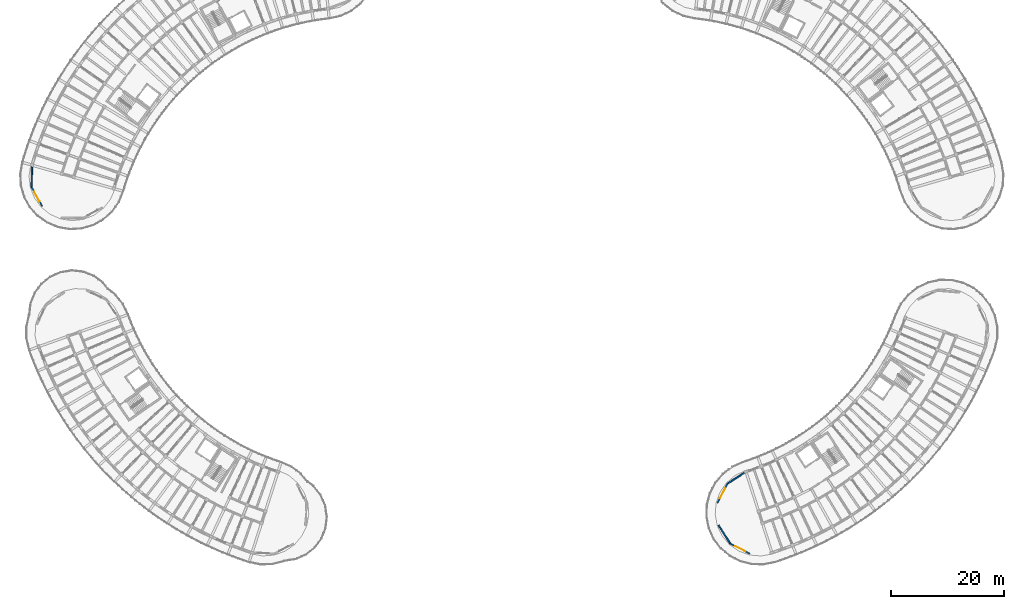
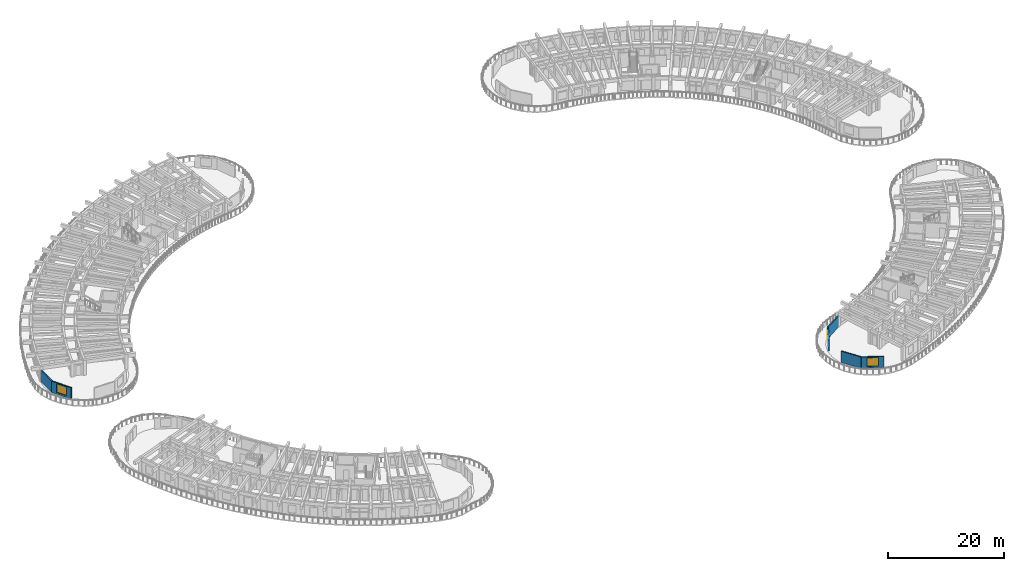
# One storey, part 41 of 78: 6 walls, 3 windows, 3 openings.
"""IFC4 building model written with IfcOpenShell, lengths in metres."""

from ifc_helpers import new_model, si_unit, direction, frame, frame_2d, origin, place, context, subcontext, project, spatial, rectangle, extrude, material, layer, layer_set, type_object, element, fill, save


model = new_model("IFC4")

# Units and contexts
model_context = context("Model", 3, precision=1e-05, world=origin(), true_north=direction((0.0, 1.0)))
body_context = subcontext(model_context, "Body", "Model", "MODEL_VIEW")
ifc_project = project(units=[si_unit("LENGTHUNIT", "METRE"), si_unit("AREAUNIT", "SQUARE_METRE"), si_unit("VOLUMEUNIT", "CUBIC_METRE"), si_unit("PLANEANGLEUNIT", "RADIAN"), si_unit("MASSUNIT", "GRAM", prefix="KILO")], contexts=[model_context])

# Site, building, storey
site_placement = place(None, origin())
site = spatial("IfcSite", under=ifc_project, at=site_placement, CompositionType="ELEMENT")
building_placement = place(site_placement, origin())
building = spatial("IfcBuilding", under=site, at=building_placement, Name="Tanwirah Colonnade Gardens", CompositionType="ELEMENT")
storey_placement = place(building_placement, frame((0.0, 0.0, 22.280029296875)))
storey = spatial("IfcBuildingStorey", under=building, at=storey_placement, Name="L06", CompositionType="ELEMENT", Elevation=22.280029296875)

# Wall, opening, window
ifc_material_1 = material(Name="Limestone architectural precast concrete C40/50", Category="masonry")
ifc_layer_1 = layer(ifc_material_1, 0.239990234375)
ifc_layer_set_1 = layer_set([ifc_layer_1], Name="Limestone architectural precast concrete C40/50")
wall_type_1 = type_object("IfcWallType", Name="EW-PC240", PredefinedType="SOLIDWALL", material=ifc_layer_set_1)
wall_1_placement = place(storey_placement, frame((135.2509765625, 7.597412109375, 0.0), z_axis=(0.0, 0.0, 1.0), x_axis=(-0.889028498589, 0.457851863267, 0.0)))
wall_1 = element("IfcWall", 1, at=wall_1_placement, inside=storey, type_object=wall_type_1, Name="Block D L06 START Rounded End Wall 1", PredefinedType="SOLIDWALL", context=body_context, shape_type="SweptSolid", body=[
    extrude(rectangle(XDim=3.907958984375, YDim=0.239990234375, at=frame_2d((1.9541015625, 0.0))), origin(), (0.0, 0.0, 1.0), 2.35498046875),
])
opening_1_placement = place(wall_1_placement, frame((0.97900390625, 0.0, 0.39990234375)))
opening_1 = element("IfcOpeningElement", 2, at=opening_1_placement, cuts=wall_1, Name="Opening WIN-END2", PredefinedType="OPENING", context=body_context, shape_type="SweptSolid", body=[
    extrude(rectangle(XDim=1.949951171875, YDim=1.780029296875, at=frame_2d((0.97509765625, 0.89013671875))), frame((0.0, 0.1298828125, 0.0), z_axis=(0.0, -1.0, 0.0), x_axis=(1.0, 0.0, 0.0)), (0.0, 0.0, 1.0), 0.260009765625),
])
ifc_material_2 = material(Name="Thermally broken bronze aluminium and solar low-E double glazing", Category="aluminium")
window_type = type_object("IfcWindowType", Name="WIN-END2", PartitioningType="TRIPLE_PANEL_VERTICAL", PredefinedType="WINDOW", material=ifc_material_2)
window_1_placement = place(opening_1_placement, origin())
window_1 = element("IfcWindow", 3, at=window_1_placement, inside=storey, type_object=window_type, Name="Rounded corner window D-L06-START-1", OverallHeight=1.780029296875, OverallWidth=1.949951171875, PartitioningType="SINGLE_PANEL", PredefinedType="WINDOW", context=body_context, shape_type="SweptSolid", body=[
    extrude(rectangle(XDim=1.949951171875, YDim=1.780029296875, at=frame_2d((0.97509765625, 0.89013671875))), frame((0.0, 0.030029296875, 0.0), z_axis=(0.0, -1.0, 0.0), x_axis=(1.0, 0.0, 0.0)), (0.0, 0.0, 1.0), 0.06005859375),
])
fill(opening_1, window_1)

# Wall
wall_2_placement = place(storey_placement, frame((131.776611328125, 9.38671875, 0.0), z_axis=(0.0, 0.0, 1.0), x_axis=(-0.540988055082, 0.841030275471, 0.0)))
element("IfcWall", 4, at=wall_2_placement, inside=storey, type_object=wall_type_1, Name="Block D L06 START Rounded End Wall 2", PredefinedType="SOLIDWALL", context=body_context, shape_type="SweptSolid", body=[
    extrude(rectangle(XDim=3.908203125, YDim=0.239990234375, at=frame_2d((1.9541015625, 0.0))), origin(), (0.0, 0.0, 1.0), 2.35498046875),
])

# Wall, opening, window
wall_3_placement = place(storey_placement, frame((129.474853515625, 16.577392578125, 0.0), z_axis=(0.0, 0.0, 1.0), x_axis=(0.457901236663, 0.889003069434, 0.0)))
wall_3 = element("IfcWall", 5, at=wall_3_placement, inside=storey, type_object=wall_type_1, Name="Block D L06 START Rounded End Wall 4", PredefinedType="SOLIDWALL", context=body_context, shape_type="SweptSolid", body=[
    extrude(rectangle(XDim=3.908203125, YDim=0.239990234375, at=frame_2d((1.9541015625, 0.0))), origin(), (0.0, 0.0, 1.0), 2.35498046875),
])
opening_2_placement = place(wall_3_placement, frame((0.97900390625, 0.0, 0.39990234375)))
opening_2 = element("IfcOpeningElement", 6, at=opening_2_placement, cuts=wall_3, Name="Opening WIN-END2", PredefinedType="OPENING", context=body_context, shape_type="SweptSolid", body=[
    extrude(rectangle(XDim=1.949951171875, YDim=1.780029296875, at=frame_2d((0.97509765625, 0.89013671875))), frame((0.0, 0.1298828125, 0.0), z_axis=(0.0, -1.0, 0.0), x_axis=(1.0, 0.0, 0.0)), (0.0, 0.0, 1.0), 0.260009765625),
])
window_2_placement = place(opening_2_placement, origin())
window_2 = element("IfcWindow", 7, at=window_2_placement, inside=storey, type_object=window_type, Name="Rounded corner window D-L06-START-4", OverallHeight=1.780029296875, OverallWidth=1.949951171875, PartitioningType="SINGLE_PANEL", PredefinedType="WINDOW", context=body_context, shape_type="SweptSolid", body=[
    extrude(rectangle(XDim=1.949951171875, YDim=1.780029296875, at=frame_2d((0.97509765625, 0.89013671875))), frame((0.0, 0.030029296875, 0.0), z_axis=(0.0, -1.0, 0.0), x_axis=(1.0, 0.0, 0.0)), (0.0, 0.0, 1.0), 0.06005859375),
])
fill(opening_2, window_2)

# Wall
wall_4_placement = place(storey_placement, frame((131.264404296875, 20.0517578125, 0.0), z_axis=(0.0, 0.0, 1.0), x_axis=(0.841030275471, 0.540988055082, 0.0)))
element("IfcWall", 8, at=wall_4_placement, inside=storey, type_object=wall_type_1, Name="Block D L06 START Rounded End Wall 5", PredefinedType="SOLIDWALL", context=body_context, shape_type="SweptSolid", body=[
    extrude(rectangle(XDim=3.908203125, YDim=0.239990234375, at=frame_2d((1.9541015625, 0.0))), origin(), (0.0, 0.0, 1.0), 2.35498046875),
])

# Wall, opening, window
ifc_layer_2 = layer(ifc_material_1, 0.2451171875)
ifc_layer_set_2 = layer_set([ifc_layer_2], Name="Limestone architectural precast concrete C40/50")
wall_type_2 = type_object("IfcWallType", Name="EW-PC245", PredefinedType="SOLIDWALL", material=ifc_layer_set_2)
wall_5_placement = place(storey_placement, frame((9.58349609375, 69.28857421875, 0.0), z_axis=(0.0, 0.0, 1.0), x_axis=(-0.484841794757, 0.874601871743, 0.0)))
wall_5 = element("IfcWall", 9, at=wall_5_placement, inside=storey, type_object=wall_type_2, Name="Block A L06 END Rounded End Wall 4", PredefinedType="SOLIDWALL", context=body_context, shape_type="SweptSolid", body=[
    extrude(rectangle(XDim=3.907958984375, YDim=0.2451171875, at=frame_2d((1.9541015625, 0.0))), origin(), (0.0, 0.0, 1.0), 2.35498046875),
])
opening_3_placement = place(wall_5_placement, frame((0.97900390625, 0.0, 0.39990234375)))
opening_3 = element("IfcOpeningElement", 10, at=opening_3_placement, cuts=wall_5, Name="Opening WIN-END2", PredefinedType="OPENING", context=body_context, shape_type="SweptSolid", body=[
    extrude(rectangle(XDim=1.949951171875, YDim=1.780029296875, at=frame_2d((0.97509765625, 0.89013671875))), frame((0.0, 0.132568359375, 0.0), z_axis=(0.0, -1.0, 0.0), x_axis=(1.0, 0.0, 0.0)), (0.0, 0.0, 1.0), 0.26513671875),
])
window_3_placement = place(opening_3_placement, origin())
window_3 = element("IfcWindow", 11, at=window_3_placement, inside=storey, type_object=window_type, Name="Rounded corner window A-L06-END-4", OverallHeight=1.780029296875, OverallWidth=1.949951171875, PartitioningType="SINGLE_PANEL", PredefinedType="WINDOW", context=body_context, shape_type="SweptSolid", body=[
    extrude(rectangle(XDim=1.949951171875, YDim=1.780029296875, at=frame_2d((0.97509765625, 0.89013671875))), frame((0.0, 0.030029296875, 0.0), z_axis=(0.0, -1.0, 0.0), x_axis=(1.0, 0.0, 0.0)), (0.0, 0.0, 1.0), 0.06005859375),
])
fill(opening_3, window_3)

# Wall
wall_6_placement = place(storey_placement, frame((7.688720703125, 72.70654296875, 0.0), z_axis=(0.0, 0.0, 1.0), x_axis=(0.017428315893, 0.999848115368, 0.0)))
element("IfcWall", 12, at=wall_6_placement, inside=storey, type_object=wall_type_2, Name="Block A L06 END Rounded End Wall 5", PredefinedType="SOLIDWALL", context=body_context, shape_type="SweptSolid", body=[
    extrude(rectangle(XDim=3.908203125, YDim=0.2451171875, at=frame_2d((1.9541015625, 0.0))), origin(), (0.0, 0.0, 1.0), 2.35498046875),
])

save(model, "model.ifc")
